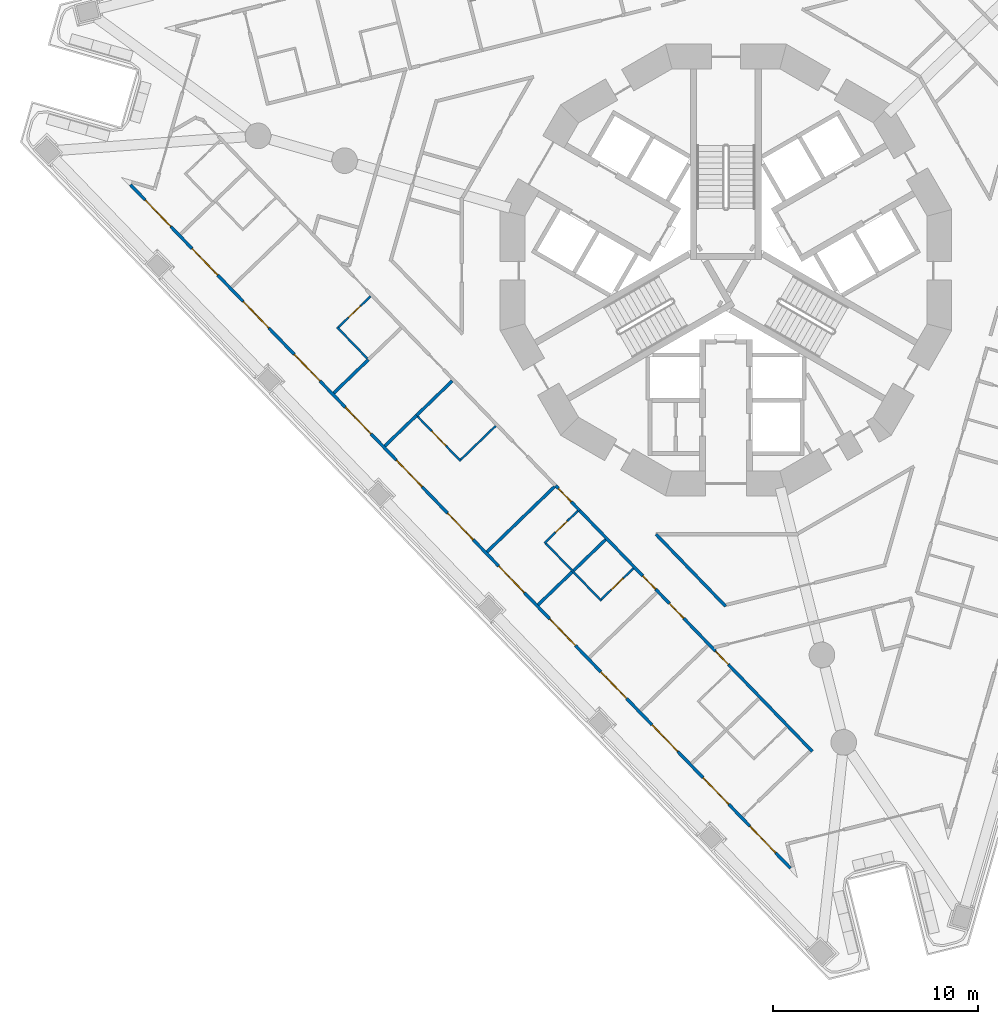
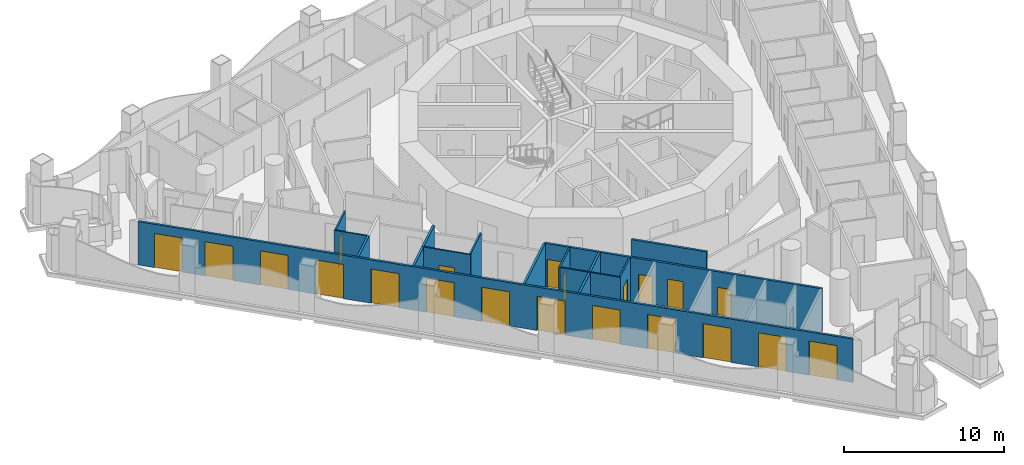
# One storey, part 2 of 20: 21 doors, 17 walls, 21 openings.
"""IFC4 building model written with IfcOpenShell, lengths in metres."""

from ifc_helpers import new_model, si_unit, direction, frame, frame_2d, origin, place, context, subcontext, project, spatial, polyline, rectangle, outline, extrude, material, layer, layer_set, type_object, element, fill, save


model = new_model("IFC4")

# Units and contexts
model_context = context("Model", 3, precision=1e-05, world=origin(), true_north=direction((0.0, 1.0)))
body_context = subcontext(model_context, "Body", "Model", "MODEL_VIEW")
ifc_project = project(units=[si_unit("LENGTHUNIT", "METRE"), si_unit("AREAUNIT", "SQUARE_METRE"), si_unit("VOLUMEUNIT", "CUBIC_METRE"), si_unit("PLANEANGLEUNIT", "RADIAN"), si_unit("MASSUNIT", "GRAM", prefix="KILO")], contexts=[model_context])

# Site, building, storey
site_placement = place(None, origin())
site = spatial("IfcSite", under=ifc_project, at=site_placement, CompositionType="ELEMENT")
building_placement = place(site_placement, origin())
building = spatial("IfcBuilding", under=site, at=building_placement, Name="Trine Commons Tower", CompositionType="ELEMENT")
storey_placement = place(building_placement, frame((0.0, 0.0, 101.699951171875)))
storey = spatial("IfcBuildingStorey", under=building, at=storey_placement, Name="L25", CompositionType="ELEMENT", Elevation=101.699951171875)

# Wall, openings, doors
ifc_material_1 = material(Name="Aluminium-framed insulated wall panel", Category="aluminium")
ifc_layer_1 = layer(ifc_material_1, 0.14990234375)
ifc_layer_set_1 = layer_set([ifc_layer_1], Name="Aluminium-framed insulated wall panel")
wall_type_1 = type_object("IfcWallType", Name="Glazed frame wall 150, EI 60", PredefinedType="SOLIDWALL", material=ifc_layer_set_1)
wall_1_placement = place(storey_placement, frame((83.25048828125, 33.21630859375, 0.0), z_axis=(0.0, 0.0, 1.0), x_axis=(-0.69466017463, 0.719338058067, 0.0)))
wall_1 = element("IfcWall", 1, at=wall_1_placement, inside=storey, type_object=wall_type_1, Name="Glazed frame wall F3", PredefinedType="SOLIDWALL", context=body_context, shape_type="SweptSolid", body=[
    extrude(outline(polyline([(0.1494140625, 0.074951171875), (0.1494140625, -0.074951171875), (46.496826171875, -0.074951171875), (46.496826171875, 0.074951171875), (0.1494140625, 0.074951171875)])), origin(), (0.0, 0.0, 1.0), 3.300048828125),
])
opening_1_placement = place(wall_1_placement, frame((1.194091796875, 0.0, 0.0)))
opening_1 = element("IfcOpeningElement", 2, at=opening_1_placement, cuts=wall_1, Name="Opening BD-3F3-01", PredefinedType="OPENING", context=body_context, shape_type="SweptSolid", body=[
    extrude(rectangle(XDim=1.800048828125, YDim=2.60009765625, at=frame_2d((0.89990234375, 1.300048828125))), frame((0.0, 0.0849609375, 0.0), z_axis=(0.0, -1.0, 0.0), x_axis=(1.0, 0.0, 0.0)), (0.0, 0.0, 1.0), 0.169921875),
])
opening_2_placement = place(wall_1_placement, frame((4.482421875, 0.0, 0.0)))
opening_2 = element("IfcOpeningElement", 3, at=opening_2_placement, cuts=wall_1, Name="Opening BD-3F3-02", PredefinedType="OPENING", context=body_context, shape_type="SweptSolid", body=[
    extrude(rectangle(XDim=1.800048828125, YDim=2.60009765625, at=frame_2d((0.89990234375, 1.300048828125))), frame((0.0, 0.0849609375, 0.0), z_axis=(0.0, -1.0, 0.0), x_axis=(1.0, 0.0, 0.0)), (0.0, 0.0, 1.0), 0.169921875),
])
opening_3_placement = place(wall_1_placement, frame((8.070556640625, 0.0, 0.0)))
opening_3 = element("IfcOpeningElement", 4, at=opening_3_placement, cuts=wall_1, Name="Opening BD-3F3-03", PredefinedType="OPENING", context=body_context, shape_type="SweptSolid", body=[
    extrude(rectangle(XDim=1.800048828125, YDim=2.60009765625, at=frame_2d((0.89990234375, 1.300048828125))), frame((0.0, 0.0849609375, 0.0), z_axis=(0.0, -1.0, 0.0), x_axis=(1.0, 0.0, 0.0)), (0.0, 0.0, 1.0), 0.169921875),
])
opening_4_placement = place(wall_1_placement, frame((11.65869140625, 0.0, 0.0)))
opening_4 = element("IfcOpeningElement", 5, at=opening_4_placement, cuts=wall_1, Name="Opening BD-3F3-04", PredefinedType="OPENING", context=body_context, shape_type="SweptSolid", body=[
    extrude(rectangle(XDim=1.800048828125, YDim=2.60009765625, at=frame_2d((0.89990234375, 1.300048828125))), frame((0.0, 0.0849609375, 0.0), z_axis=(0.0, -1.0, 0.0), x_axis=(1.0, 0.0, 0.0)), (0.0, 0.0, 1.0), 0.169921875),
])
opening_5_placement = place(wall_1_placement, frame((15.246826171875, 0.0, 0.0)))
opening_5 = element("IfcOpeningElement", 6, at=opening_5_placement, cuts=wall_1, Name="Opening BD-3F3-05", PredefinedType="OPENING", context=body_context, shape_type="SweptSolid", body=[
    extrude(rectangle(XDim=1.800048828125, YDim=2.60009765625, at=frame_2d((0.89990234375, 1.300048828125))), frame((0.0, 0.0849609375, 0.0), z_axis=(0.0, -1.0, 0.0), x_axis=(1.0, 0.0, 0.0)), (0.0, 0.0, 1.0), 0.169921875),
])
opening_6_placement = place(wall_1_placement, frame((18.835205078125, 0.0, 0.0)))
opening_6 = element("IfcOpeningElement", 7, at=opening_6_placement, cuts=wall_1, Name="Opening BD-3F3-06", PredefinedType="OPENING", context=body_context, shape_type="SweptSolid", body=[
    extrude(rectangle(XDim=1.800048828125, YDim=2.60009765625, at=frame_2d((0.89990234375, 1.300048828125))), frame((0.0, 0.0849609375, 0.0), z_axis=(0.0, -1.0, 0.0), x_axis=(1.0, 0.0, 0.0)), (0.0, 0.0, 1.0), 0.169921875),
])
opening_7_placement = place(wall_1_placement, frame((22.42333984375, 0.0, 0.0)))
opening_7 = element("IfcOpeningElement", 8, at=opening_7_placement, cuts=wall_1, Name="Opening BD-3F3-07", PredefinedType="OPENING", context=body_context, shape_type="SweptSolid", body=[
    extrude(rectangle(XDim=1.800048828125, YDim=2.60009765625, at=frame_2d((0.89990234375, 1.300048828125))), frame((0.0, 0.0849609375, 0.0), z_axis=(0.0, -1.0, 0.0), x_axis=(1.0, 0.0, 0.0)), (0.0, 0.0, 1.0), 0.169921875),
])
opening_8_placement = place(wall_1_placement, frame((26.011474609375, 0.0, 0.0)))
opening_8 = element("IfcOpeningElement", 9, at=opening_8_placement, cuts=wall_1, Name="Opening BD-3F3-08", PredefinedType="OPENING", context=body_context, shape_type="SweptSolid", body=[
    extrude(rectangle(XDim=1.800048828125, YDim=2.60009765625, at=frame_2d((0.89990234375, 1.300048828125))), frame((0.0, 0.0849609375, 0.0), z_axis=(0.0, -1.0, 0.0), x_axis=(1.0, 0.0, 0.0)), (0.0, 0.0, 1.0), 0.169921875),
])
opening_9_placement = place(wall_1_placement, frame((29.599609375, 0.0, 0.0)))
opening_9 = element("IfcOpeningElement", 10, at=opening_9_placement, cuts=wall_1, Name="Opening BD-3F3-09", PredefinedType="OPENING", context=body_context, shape_type="SweptSolid", body=[
    extrude(rectangle(XDim=1.800048828125, YDim=2.60009765625, at=frame_2d((0.89990234375, 1.300048828125))), frame((0.0, 0.0849609375, 0.0), z_axis=(0.0, -1.0, 0.0), x_axis=(1.0, 0.0, 0.0)), (0.0, 0.0, 1.0), 0.169921875),
])
opening_10_placement = place(wall_1_placement, frame((33.18798828125, 0.0, 0.0)))
opening_10 = element("IfcOpeningElement", 11, at=opening_10_placement, cuts=wall_1, Name="Opening BD-3F3-10", PredefinedType="OPENING", context=body_context, shape_type="SweptSolid", body=[
    extrude(rectangle(XDim=1.800048828125, YDim=2.60009765625, at=frame_2d((0.89990234375, 1.300048828125))), frame((0.0, 0.0849609375, 0.0), z_axis=(0.0, -1.0, 0.0), x_axis=(1.0, 0.0, 0.0)), (0.0, 0.0, 1.0), 0.169921875),
])
opening_11_placement = place(wall_1_placement, frame((36.776123046875, 0.0, 0.0)))
opening_11 = element("IfcOpeningElement", 12, at=opening_11_placement, cuts=wall_1, Name="Opening BD-3F3-11", PredefinedType="OPENING", context=body_context, shape_type="SweptSolid", body=[
    extrude(rectangle(XDim=1.800048828125, YDim=2.60009765625, at=frame_2d((0.89990234375, 1.300048828125))), frame((0.0, 0.0849609375, 0.0), z_axis=(0.0, -1.0, 0.0), x_axis=(1.0, 0.0, 0.0)), (0.0, 0.0, 1.0), 0.169921875),
])
opening_12_placement = place(wall_1_placement, frame((40.3642578125, 0.0, 0.0)))
opening_12 = element("IfcOpeningElement", 13, at=opening_12_placement, cuts=wall_1, Name="Opening BD-3F3-12", PredefinedType="OPENING", context=body_context, shape_type="SweptSolid", body=[
    extrude(rectangle(XDim=1.800048828125, YDim=2.60009765625, at=frame_2d((0.89990234375, 1.300048828125))), frame((0.0, 0.0849609375, 0.0), z_axis=(0.0, -1.0, 0.0), x_axis=(1.0, 0.0, 0.0)), (0.0, 0.0, 1.0), 0.169921875),
])
opening_13_placement = place(wall_1_placement, frame((43.652587890625, 0.0, 0.0)))
opening_13 = element("IfcOpeningElement", 14, at=opening_13_placement, cuts=wall_1, Name="Opening BD-3F3-13", PredefinedType="OPENING", context=body_context, shape_type="SweptSolid", body=[
    extrude(rectangle(XDim=1.800048828125, YDim=2.60009765625, at=frame_2d((0.89990234375, 1.300048828125))), frame((0.0, 0.0849609375, 0.0), z_axis=(0.0, -1.0, 0.0), x_axis=(1.0, 0.0, 0.0)), (0.0, 0.0, 1.0), 0.169921875),
])
ifc_material_2 = material(Name="Anodised aluminium frame with double glazing", Category="aluminium")
door_type_1 = type_object("IfcDoorType", Name="Sliding loggia door 1800x2600", OperationType="SLIDING_TO_LEFT", PredefinedType="DOOR", material=ifc_material_2)
door_1_placement = place(opening_1_placement, origin())
door_1 = element("IfcDoor", 15, at=door_1_placement, inside=storey, type_object=door_type_1, Name="Loggia door F3 1", OperationType="SLIDING_TO_LEFT", OverallHeight=2.60009765625, OverallWidth=1.800048828125, PredefinedType="DOOR", context=body_context, shape_type="SweptSolid", body=[
    extrude(rectangle(XDim=1.800048828125, YDim=2.60009765625, at=frame_2d((0.89990234375, 1.300048828125))), frame((0.0, 0.02490234375, 0.0), z_axis=(0.0, -1.0, 0.0), x_axis=(1.0, 0.0, 0.0)), (0.0, 0.0, 1.0), 0.050048828125),
])
fill(opening_1, door_1)
door_2_placement = place(opening_2_placement, origin())
door_2 = element("IfcDoor", 16, at=door_2_placement, inside=storey, type_object=door_type_1, Name="Loggia door F3 2", OperationType="SLIDING_TO_LEFT", OverallHeight=2.60009765625, OverallWidth=1.800048828125, PredefinedType="DOOR", context=body_context, shape_type="SweptSolid", body=[
    extrude(rectangle(XDim=1.800048828125, YDim=2.60009765625, at=frame_2d((0.89990234375, 1.300048828125))), frame((0.0, 0.02490234375, 0.0), z_axis=(0.0, -1.0, 0.0), x_axis=(1.0, 0.0, 0.0)), (0.0, 0.0, 1.0), 0.050048828125),
])
fill(opening_2, door_2)
door_3_placement = place(opening_3_placement, origin())
door_3 = element("IfcDoor", 17, at=door_3_placement, inside=storey, type_object=door_type_1, Name="Loggia door F3 3", OperationType="SLIDING_TO_LEFT", OverallHeight=2.60009765625, OverallWidth=1.800048828125, PredefinedType="DOOR", context=body_context, shape_type="SweptSolid", body=[
    extrude(rectangle(XDim=1.800048828125, YDim=2.60009765625, at=frame_2d((0.89990234375, 1.300048828125))), frame((0.0, 0.02490234375, 0.0), z_axis=(0.0, -1.0, 0.0), x_axis=(1.0, 0.0, 0.0)), (0.0, 0.0, 1.0), 0.050048828125),
])
fill(opening_3, door_3)
door_4_placement = place(opening_4_placement, origin())
door_4 = element("IfcDoor", 18, at=door_4_placement, inside=storey, type_object=door_type_1, Name="Loggia door F3 4", OperationType="SLIDING_TO_LEFT", OverallHeight=2.60009765625, OverallWidth=1.800048828125, PredefinedType="DOOR", context=body_context, shape_type="SweptSolid", body=[
    extrude(rectangle(XDim=1.800048828125, YDim=2.60009765625, at=frame_2d((0.89990234375, 1.300048828125))), frame((0.0, 0.02490234375, 0.0), z_axis=(0.0, -1.0, 0.0), x_axis=(1.0, 0.0, 0.0)), (0.0, 0.0, 1.0), 0.050048828125),
])
fill(opening_4, door_4)
door_5_placement = place(opening_5_placement, origin())
door_5 = element("IfcDoor", 19, at=door_5_placement, inside=storey, type_object=door_type_1, Name="Loggia door F3 5", OperationType="SLIDING_TO_LEFT", OverallHeight=2.60009765625, OverallWidth=1.800048828125, PredefinedType="DOOR", context=body_context, shape_type="SweptSolid", body=[
    extrude(rectangle(XDim=1.800048828125, YDim=2.60009765625, at=frame_2d((0.89990234375, 1.300048828125))), frame((0.0, 0.02490234375, 0.0), z_axis=(0.0, -1.0, 0.0), x_axis=(1.0, 0.0, 0.0)), (0.0, 0.0, 1.0), 0.050048828125),
])
fill(opening_5, door_5)
door_6_placement = place(opening_6_placement, origin())
door_6 = element("IfcDoor", 20, at=door_6_placement, inside=storey, type_object=door_type_1, Name="Loggia door F3 6", OperationType="SLIDING_TO_LEFT", OverallHeight=2.60009765625, OverallWidth=1.800048828125, PredefinedType="DOOR", context=body_context, shape_type="SweptSolid", body=[
    extrude(rectangle(XDim=1.800048828125, YDim=2.60009765625, at=frame_2d((0.89990234375, 1.300048828125))), frame((0.0, 0.02490234375, 0.0), z_axis=(0.0, -1.0, 0.0), x_axis=(1.0, 0.0, 0.0)), (0.0, 0.0, 1.0), 0.050048828125),
])
fill(opening_6, door_6)
door_7_placement = place(opening_7_placement, origin())
door_7 = element("IfcDoor", 21, at=door_7_placement, inside=storey, type_object=door_type_1, Name="Loggia door F3 7", OperationType="SLIDING_TO_LEFT", OverallHeight=2.60009765625, OverallWidth=1.800048828125, PredefinedType="DOOR", context=body_context, shape_type="SweptSolid", body=[
    extrude(rectangle(XDim=1.800048828125, YDim=2.60009765625, at=frame_2d((0.89990234375, 1.300048828125))), frame((0.0, 0.02490234375, 0.0), z_axis=(0.0, -1.0, 0.0), x_axis=(1.0, 0.0, 0.0)), (0.0, 0.0, 1.0), 0.050048828125),
])
fill(opening_7, door_7)
door_8_placement = place(opening_8_placement, origin())
door_8 = element("IfcDoor", 22, at=door_8_placement, inside=storey, type_object=door_type_1, Name="Loggia door F3 8", OperationType="SLIDING_TO_LEFT", OverallHeight=2.60009765625, OverallWidth=1.800048828125, PredefinedType="DOOR", context=body_context, shape_type="SweptSolid", body=[
    extrude(rectangle(XDim=1.800048828125, YDim=2.60009765625, at=frame_2d((0.89990234375, 1.300048828125))), frame((0.0, 0.02490234375, 0.0), z_axis=(0.0, -1.0, 0.0), x_axis=(1.0, 0.0, 0.0)), (0.0, 0.0, 1.0), 0.050048828125),
])
fill(opening_8, door_8)
door_9_placement = place(opening_9_placement, origin())
door_9 = element("IfcDoor", 23, at=door_9_placement, inside=storey, type_object=door_type_1, Name="Loggia door F3 9", OperationType="SLIDING_TO_LEFT", OverallHeight=2.60009765625, OverallWidth=1.800048828125, PredefinedType="DOOR", context=body_context, shape_type="SweptSolid", body=[
    extrude(rectangle(XDim=1.800048828125, YDim=2.60009765625, at=frame_2d((0.89990234375, 1.300048828125))), frame((0.0, 0.02490234375, 0.0), z_axis=(0.0, -1.0, 0.0), x_axis=(1.0, 0.0, 0.0)), (0.0, 0.0, 1.0), 0.050048828125),
])
fill(opening_9, door_9)
door_10_placement = place(opening_10_placement, origin())
door_10 = element("IfcDoor", 24, at=door_10_placement, inside=storey, type_object=door_type_1, Name="Loggia door F3 10", OperationType="SLIDING_TO_LEFT", OverallHeight=2.60009765625, OverallWidth=1.800048828125, PredefinedType="DOOR", context=body_context, shape_type="SweptSolid", body=[
    extrude(rectangle(XDim=1.800048828125, YDim=2.60009765625, at=frame_2d((0.89990234375, 1.300048828125))), frame((0.0, 0.02490234375, 0.0), z_axis=(0.0, -1.0, 0.0), x_axis=(1.0, 0.0, 0.0)), (0.0, 0.0, 1.0), 0.050048828125),
])
fill(opening_10, door_10)
door_11_placement = place(opening_11_placement, origin())
door_11 = element("IfcDoor", 25, at=door_11_placement, inside=storey, type_object=door_type_1, Name="Loggia door F3 11", OperationType="SLIDING_TO_LEFT", OverallHeight=2.60009765625, OverallWidth=1.800048828125, PredefinedType="DOOR", context=body_context, shape_type="SweptSolid", body=[
    extrude(rectangle(XDim=1.800048828125, YDim=2.60009765625, at=frame_2d((0.89990234375, 1.300048828125))), frame((0.0, 0.02490234375, 0.0), z_axis=(0.0, -1.0, 0.0), x_axis=(1.0, 0.0, 0.0)), (0.0, 0.0, 1.0), 0.050048828125),
])
fill(opening_11, door_11)
door_12_placement = place(opening_12_placement, origin())
door_12 = element("IfcDoor", 26, at=door_12_placement, inside=storey, type_object=door_type_1, Name="Loggia door F3 12", OperationType="SLIDING_TO_LEFT", OverallHeight=2.60009765625, OverallWidth=1.800048828125, PredefinedType="DOOR", context=body_context, shape_type="SweptSolid", body=[
    extrude(rectangle(XDim=1.800048828125, YDim=2.60009765625, at=frame_2d((0.89990234375, 1.300048828125))), frame((0.0, 0.02490234375, 0.0), z_axis=(0.0, -1.0, 0.0), x_axis=(1.0, 0.0, 0.0)), (0.0, 0.0, 1.0), 0.050048828125),
])
fill(opening_12, door_12)
door_13_placement = place(opening_13_placement, origin())
door_13 = element("IfcDoor", 27, at=door_13_placement, inside=storey, type_object=door_type_1, Name="Loggia door F3 13", OperationType="SLIDING_TO_LEFT", OverallHeight=2.60009765625, OverallWidth=1.800048828125, PredefinedType="DOOR", context=body_context, shape_type="SweptSolid", body=[
    extrude(rectangle(XDim=1.800048828125, YDim=2.60009765625, at=frame_2d((0.89990234375, 1.300048828125))), frame((0.0, 0.02490234375, 0.0), z_axis=(0.0, -1.0, 0.0), x_axis=(1.0, 0.0, 0.0)), (0.0, 0.0, 1.0), 0.050048828125),
])
fill(opening_13, door_13)

# Walls
ifc_material_3 = material(Name="Gypsum plasterboard on steel stud", Category="steel")
ifc_layer_2 = layer(ifc_material_3, 0.14990234375)
ifc_layer_set_2 = layer_set([ifc_layer_2], Name="Gypsum plasterboard on steel stud")
wall_type_2 = type_object("IfcWallType", Name="Unit and corridor wall 150 mm, EI 60", PredefinedType="PARTITIONING", material=ifc_layer_set_2)
wall_2_placement = place(storey_placement, frame((60.871826171875, 56.498779296875, 0.0), z_axis=(0.0, 0.0, 1.0), x_axis=(0.719512417317, 0.694479575889, 0.0)))
element("IfcWall", 28, at=wall_2_placement, inside=storey, type_object=wall_type_2, Name="Partition 019", PredefinedType="PARTITIONING", context=body_context, shape_type="SweptSolid", body=[
    extrude(rectangle(XDim=2.350341796875, YDim=0.14990234375, at=frame_2d((1.17529296875, 0.0))), origin(), (0.0, 0.0, 1.0), 3.300048828125),
])
wall_3_placement = place(storey_placement, frame((63.36376953125, 53.917724609375, 0.0), z_axis=(0.0, 0.0, 1.0), x_axis=(0.71955816268, 0.694432178488, 0.0)))
element("IfcWall", 29, at=wall_3_placement, inside=storey, type_object=wall_type_2, Name="Partition 028", PredefinedType="PARTITIONING", context=body_context, shape_type="SweptSolid", body=[
    extrude(rectangle(XDim=2.1474609375, YDim=0.14990234375, at=frame_2d((1.07373046875, 0.0))), origin(), (0.0, 0.0, 1.0), 3.300048828125),
])
wall_4_placement = place(storey_placement, frame((64.908935546875, 55.408935546875, 0.0), z_axis=(0.0, 0.0, 1.0), x_axis=(0.719182863788, 0.694820846286, 0.0)))
element("IfcWall", 30, at=wall_4_placement, inside=storey, type_object=wall_type_2, Name="Partition 035", PredefinedType="PARTITIONING", context=body_context, shape_type="SweptSolid", body=[
    extrude(rectangle(XDim=2.425048828125, YDim=0.14990234375, at=frame_2d((1.21240234375, 0.0))), origin(), (0.0, 0.0, 1.0), 3.300048828125),
])
wall_5_placement = place(storey_placement, frame((68.348876953125, 48.7548828125, 0.0), z_axis=(0.0, 0.0, 1.0), x_axis=(0.719356389488, 0.694641191482, 0.0)))
element("IfcWall", 31, at=wall_5_placement, inside=storey, type_object=wall_type_2, Name="Partition 046", PredefinedType="PARTITIONING", context=body_context, shape_type="SweptSolid", body=[
    extrude(rectangle(XDim=4.573486328125, YDim=0.14990234375, at=frame_2d((2.28662109375, 0.0))), origin(), (0.0, 0.0, 1.0), 3.300048828125),
])
wall_6_placement = place(storey_placement, frame((70.841796875, 46.173828125, 0.0), z_axis=(0.0, 0.0, 1.0), x_axis=(0.71937400428, 0.694622949496, 0.0)))
element("IfcWall", 32, at=wall_6_placement, inside=storey, type_object=wall_type_2, Name="Partition 048", PredefinedType="PARTITIONING", context=body_context, shape_type="SweptSolid", body=[
    extrude(rectangle(XDim=2.29833984375, YDim=0.14990234375, at=frame_2d((1.149169921875, 0.0))), origin(), (0.0, 0.0, 1.0), 3.300048828125),
])

# Wall, opening, door
wall_7_placement = place(storey_placement, frame((71.68896484375, 51.986083984375, 0.0), z_axis=(0.0, 0.0, 1.0), x_axis=(0.695212932068, -0.718803852999, 0.0)))
wall_7 = element("IfcWall", 33, at=wall_7_placement, inside=storey, type_object=wall_type_2, Name="Partition 051", PredefinedType="PARTITIONING", context=body_context, shape_type="SweptSolid", body=[
    extrude(rectangle(XDim=1.697265625, YDim=0.14990234375, at=frame_2d((0.8486328125, 0.0))), origin(), (0.0, 0.0, 1.0), 3.300048828125),
])
opening_14_placement = place(wall_7_placement, frame((0.197998046875, 0.0, 0.0)))
opening_14 = element("IfcOpeningElement", 34, at=opening_14_placement, cuts=wall_7, Name="Opening D-3B30", PredefinedType="OPENING", context=body_context, shape_type="SweptSolid", body=[
    extrude(rectangle(XDim=0.89990234375, YDim=2.10009765625, at=frame_2d((0.449951171875, 1.050048828125))), frame((0.0, 0.0849609375, 0.0), z_axis=(0.0, -1.0, 0.0), x_axis=(1.0, 0.0, 0.0)), (0.0, 0.0, 1.0), 0.169921875),
])
ifc_material_4 = material(Name="Timber fire door set", Category="wood")
door_type_2 = type_object("IfcDoorType", Name="Bedroom door 900 x 2100, FD30S", OperationType="NOTDEFINED", PredefinedType="DOOR", material=ifc_material_4)
door_14_placement = place(opening_14_placement, frame((0.89990234375, 0.0, 0.0), z_axis=(0.0, 0.0, 1.0), x_axis=(-1.0, 0.0, 0.0)))
door_14 = element("IfcDoor", 35, at=door_14_placement, inside=storey, type_object=door_type_2, Name="Door D-3B30", OperationType="SINGLE_SWING_RIGHT", OverallHeight=2.10009765625, OverallWidth=0.89990234375, PredefinedType="DOOR", context=body_context, shape_type="SweptSolid", body=[
    extrude(rectangle(XDim=0.89990234375, YDim=2.10009765625, at=frame_2d((0.449951171875, 1.050048828125))), frame((0.0, 0.02490234375, 0.0), z_axis=(0.0, -1.0, 0.0), x_axis=(1.0, 0.0, 0.0)), (0.0, 0.0, 1.0), 0.050048828125),
])
fill(opening_14, door_14)

# Wall
wall_8_placement = place(storey_placement, frame((72.56689453125, 47.839599609375, 0.0), z_axis=(0.0, 0.0, 1.0), x_axis=(0.71918093231, 0.694822845481, 0.0)))
element("IfcWall", 36, at=wall_8_placement, inside=storey, type_object=wall_type_2, Name="Partition 052", PredefinedType="PARTITIONING", context=body_context, shape_type="SweptSolid", body=[
    extrude(rectangle(XDim=2.175048828125, YDim=0.14990234375, at=frame_2d((1.08740234375, 0.0))), origin(), (0.0, 0.0, 1.0), 3.300048828125),
])

# Wall, openings, doors
wall_9_placement = place(storey_placement, frame((72.827880859375, 50.80810546875, 0.0), z_axis=(0.0, 0.0, 1.0), x_axis=(0.694636269786, -0.719361142055, 0.0)))
wall_9 = element("IfcWall", 37, at=wall_9_placement, inside=storey, type_object=wall_type_2, Name="Partition 053", PredefinedType="PARTITIONING", context=body_context, shape_type="SweptSolid", body=[
    extrude(rectangle(XDim=16.38134765625, YDim=0.14990234375, at=frame_2d((8.190673828125, 0.0))), origin(), (0.0, 0.0, 1.0), 3.300048828125),
])
opening_15_placement = place(wall_9_placement, frame((9.59619140625, 0.0, 0.0)))
opening_15 = element("IfcOpeningElement", 38, at=opening_15_placement, cuts=wall_9, Name="Opening D-3B27", PredefinedType="OPENING", context=body_context, shape_type="SweptSolid", body=[
    extrude(rectangle(XDim=0.89990234375, YDim=2.10009765625, at=frame_2d((0.449951171875, 1.050048828125))), frame((0.0, 0.0849609375, 0.0), z_axis=(0.0, -1.0, 0.0), x_axis=(1.0, 0.0, 0.0)), (0.0, 0.0, 1.0), 0.169921875),
])
opening_16_placement = place(wall_9_placement, frame((6.3583984375, 0.0, 0.0)))
opening_16 = element("IfcOpeningElement", 39, at=opening_16_placement, cuts=wall_9, Name="Opening D-3B28", PredefinedType="OPENING", context=body_context, shape_type="SweptSolid", body=[
    extrude(rectangle(XDim=1.0, YDim=2.10009765625, at=frame_2d((0.5, 1.050048828125))), frame((0.0, 0.0849609375, 0.0), z_axis=(0.0, -1.0, 0.0), x_axis=(1.0, 0.0, 0.0)), (0.0, 0.0, 1.0), 0.169921875),
])
opening_17_placement = place(wall_9_placement, frame((4.49169921875, 0.0, 0.0)))
opening_17 = element("IfcOpeningElement", 40, at=opening_17_placement, cuts=wall_9, Name="Opening D-3B29", PredefinedType="OPENING", context=body_context, shape_type="SweptSolid", body=[
    extrude(rectangle(XDim=0.89990234375, YDim=2.10009765625, at=frame_2d((0.449951171875, 1.050048828125))), frame((0.0, 0.0849609375, 0.0), z_axis=(0.0, -1.0, 0.0), x_axis=(1.0, 0.0, 0.0)), (0.0, 0.0, 1.0), 0.169921875),
])
ifc_material_5 = material(Name="Painted timber", Category="wood")
door_type_3 = type_object("IfcDoorType", Name="Amenity room door 1000 x 2100, NOT RATED", OperationType="NOTDEFINED", PredefinedType="DOOR", material=ifc_material_5)
door_15_placement = place(opening_16_placement, frame((1.0, 0.0, 0.0), z_axis=(0.0, 0.0, 1.0), x_axis=(-1.0, 0.0, 0.0)))
door_15 = element("IfcDoor", 41, at=door_15_placement, inside=storey, type_object=door_type_3, Name="Door D-3B28", OperationType="SINGLE_SWING_RIGHT", OverallHeight=2.10009765625, OverallWidth=1.0, PredefinedType="DOOR", context=body_context, shape_type="SweptSolid", body=[
    extrude(rectangle(XDim=1.0, YDim=2.10009765625, at=frame_2d((0.5, 1.050048828125))), frame((0.0, 0.02490234375, 0.0), z_axis=(0.0, -1.0, 0.0), x_axis=(1.0, 0.0, 0.0)), (0.0, 0.0, 1.0), 0.050048828125),
])
fill(opening_16, door_15)
door_16_placement = place(opening_15_placement, frame((0.89990234375, 0.0, 0.0), z_axis=(0.0, 0.0, 1.0), x_axis=(-1.0, 0.0, 0.0)))
door_16 = element("IfcDoor", 42, at=door_16_placement, inside=storey, type_object=door_type_2, Name="Door D-3B27", OperationType="SINGLE_SWING_LEFT", OverallHeight=2.10009765625, OverallWidth=0.89990234375, PredefinedType="DOOR", context=body_context, shape_type="SweptSolid", body=[
    extrude(rectangle(XDim=0.89990234375, YDim=2.10009765625, at=frame_2d((0.449951171875, 1.050048828125))), frame((0.0, 0.02490234375, 0.0), z_axis=(0.0, -1.0, 0.0), x_axis=(1.0, 0.0, 0.0)), (0.0, 0.0, 1.0), 0.050048828125),
])
fill(opening_15, door_16)
door_17_placement = place(opening_17_placement, frame((0.89990234375, 0.0, 0.0), z_axis=(0.0, 0.0, 1.0), x_axis=(-1.0, 0.0, 0.0)))
door_17 = element("IfcDoor", 43, at=door_17_placement, inside=storey, type_object=door_type_2, Name="Door D-3B29", OperationType="SINGLE_SWING_RIGHT", OverallHeight=2.10009765625, OverallWidth=0.89990234375, PredefinedType="DOOR", context=body_context, shape_type="SweptSolid", body=[
    extrude(rectangle(XDim=0.89990234375, YDim=2.10009765625, at=frame_2d((0.449951171875, 1.050048828125))), frame((0.0, 0.02490234375, 0.0), z_axis=(0.0, -1.0, 0.0), x_axis=(1.0, 0.0, 0.0)), (0.0, 0.0, 1.0), 0.050048828125),
])
fill(opening_17, door_17)

# Walls
wall_10_placement = place(storey_placement, frame((76.587890625, 49.613037109375, 0.0), z_axis=(0.0, 0.0, 1.0), x_axis=(0.694768247914, -0.719233676694, 0.0)))
element("IfcWall", 44, at=wall_10_placement, inside=storey, type_object=wall_type_2, Name="Partition 061", PredefinedType="PARTITIONING", context=body_context, shape_type="SweptSolid", body=[
    extrude(rectangle(XDim=4.8896484375, YDim=0.14990234375, at=frame_2d((2.44482421875, 0.0))), origin(), (0.0, 0.0, 1.0), 3.300048828125),
])
ifc_layer_3 = layer(ifc_material_3, 0.10009765625)
ifc_layer_set_3 = layer_set([ifc_layer_3], Name="Gypsum plasterboard on steel stud")
wall_type_3 = type_object("IfcWallType", Name="Unit partition 100 mm, no rating", PredefinedType="PARTITIONING", material=ifc_layer_set_3)
wall_11_placement = place(storey_placement, frame((61.0322265625, 59.7119140625, 0.0), z_axis=(0.0, 0.0, 1.0), x_axis=(0.694471469345, -0.719520241734, 0.0)))
element("IfcWall", 45, at=wall_11_placement, inside=storey, type_object=wall_type_3, Name="Partition 020", PredefinedType="PARTITIONING", context=body_context, shape_type="SweptSolid", body=[
    extrude(rectangle(XDim=2.124755859375, YDim=0.10009765625, at=frame_2d((1.0625, 0.0))), origin(), (0.0, 0.0, 1.0), 3.300048828125),
])

# Wall, opening, door
wall_12_placement = place(storey_placement, frame((61.10302734375, 59.710693359375, 0.0), z_axis=(0.0, 0.0, 1.0), x_axis=(0.719126734191, 0.69487893922, 0.0)))
wall_12 = element("IfcWall", 46, at=wall_12_placement, inside=storey, type_object=wall_type_3, Name="Partition 021", PredefinedType="PARTITIONING", context=body_context, shape_type="SweptSolid", body=[
    extrude(rectangle(XDim=2.1748046875, YDim=0.10009765625, at=frame_2d((1.08740234375, 0.0))), origin(), (0.0, 0.0, 1.0), 3.300048828125),
])
opening_18_placement = place(wall_12_placement, frame((0.6875, 0.0, 0.0)))
opening_18 = element("IfcOpeningElement", 47, at=opening_18_placement, cuts=wall_12, Name="Opening D-3B63", PredefinedType="OPENING", context=body_context, shape_type="SweptSolid", body=[
    extrude(rectangle(XDim=0.800048828125, YDim=2.10009765625, at=frame_2d((0.39990234375, 1.050048828125))), frame((0.0, 0.06005859375, 0.0), z_axis=(0.0, -1.0, 0.0), x_axis=(1.0, 0.0, 0.0)), (0.0, 0.0, 1.0), 0.1201171875),
])
door_type_4 = type_object("IfcDoorType", Name="Internal door 800 x 2100, NOT RATED", OperationType="NOTDEFINED", PredefinedType="DOOR", material=ifc_material_5)
door_18_placement = place(opening_18_placement, origin())
door_18 = element("IfcDoor", 48, at=door_18_placement, inside=storey, type_object=door_type_4, Name="Door D-3B63", OperationType="SINGLE_SWING_LEFT", OverallHeight=2.10009765625, OverallWidth=0.800048828125, PredefinedType="DOOR", context=body_context, shape_type="SweptSolid", body=[
    extrude(rectangle(XDim=0.800048828125, YDim=2.10009765625, at=frame_2d((0.39990234375, 1.050048828125))), frame((0.0, 0.02490234375, 0.0), z_axis=(0.0, -1.0, 0.0), x_axis=(1.0, 0.0, 0.0)), (0.0, 0.0, 1.0), 0.050048828125),
])
fill(opening_18, door_18)

wall_13_placement = place(storey_placement, frame((64.961181640625, 55.35498046875, 0.0), z_axis=(0.0, 0.0, 1.0), x_axis=(0.694692443601, -0.719306894728, 0.0)))
wall_13 = element("IfcWall", 49, at=wall_13_placement, inside=storey, type_object=wall_type_3, Name="Partition 036", PredefinedType="PARTITIONING", context=body_context, shape_type="SweptSolid", body=[
    extrude(rectangle(XDim=3.025146484375, YDim=0.10009765625, at=frame_2d((1.5126953125, 0.0))), origin(), (0.0, 0.0, 1.0), 3.300048828125),
])
opening_19_placement = place(wall_13_placement, frame((0.98779296875, 0.0, 0.0)))
opening_19 = element("IfcOpeningElement", 50, at=opening_19_placement, cuts=wall_13, Name="Opening D-3B62", PredefinedType="OPENING", context=body_context, shape_type="SweptSolid", body=[
    extrude(rectangle(XDim=1.0, YDim=2.10009765625, at=frame_2d((0.5, 1.050048828125))), frame((0.0, 0.06005859375, 0.0), z_axis=(0.0, -1.0, 0.0), x_axis=(1.0, 0.0, 0.0)), (0.0, 0.0, 1.0), 0.1201171875),
])
door_type_5 = type_object("IfcDoorType", Name="Internal door 1000 x 2100, NOT RATED", OperationType="NOTDEFINED", PredefinedType="DOOR", material=ifc_material_5)
door_19_placement = place(opening_19_placement, frame((1.0, 0.0, 0.0), z_axis=(0.0, 0.0, 1.0), x_axis=(-1.0, 0.0, 0.0)))
door_19 = element("IfcDoor", 51, at=door_19_placement, inside=storey, type_object=door_type_5, Name="Door D-3B62", OperationType="SINGLE_SWING_RIGHT", OverallHeight=2.10009765625, OverallWidth=1.0, PredefinedType="DOOR", context=body_context, shape_type="SweptSolid", body=[
    extrude(rectangle(XDim=1.0, YDim=2.10009765625, at=frame_2d((0.5, 1.050048828125))), frame((0.0, 0.02490234375, 0.0), z_axis=(0.0, -1.0, 0.0), x_axis=(1.0, 0.0, 0.0)), (0.0, 0.0, 1.0), 0.050048828125),
])
fill(opening_19, door_19)

# Wall
wall_14_placement = place(storey_placement, frame((67.06396484375, 53.249755859375, 0.0), z_axis=(0.0, 0.0, 1.0), x_axis=(0.719233177485, 0.694768764702, 0.0)))
element("IfcWall", 52, at=wall_14_placement, inside=storey, type_object=wall_type_3, Name="Partition 040", PredefinedType="PARTITIONING", context=body_context, shape_type="SweptSolid", body=[
    extrude(rectangle(XDim=2.375, YDim=0.10009765625, at=frame_2d((1.1875, 0.0))), origin(), (0.0, 0.0, 1.0), 3.300048828125),
])

# Wall, opening, door
wall_15_placement = place(storey_placement, frame((71.139892578125, 49.17333984375, 0.0), z_axis=(0.0, 0.0, 1.0), x_axis=(0.71965659141, 0.694330173937, 0.0)))
wall_15 = element("IfcWall", 53, at=wall_15_placement, inside=storey, type_object=wall_type_3, Name="Partition 049", PredefinedType="PARTITIONING", context=body_context, shape_type="SweptSolid", body=[
    extrude(rectangle(XDim=2.27490234375, YDim=0.10009765625, at=frame_2d((1.137451171875, 0.0))), origin(), (0.0, 0.0, 1.0), 3.300048828125),
])
opening_20_placement = place(wall_15_placement, frame((0.762451171875, 0.0, 0.0)))
opening_20 = element("IfcOpeningElement", 54, at=opening_20_placement, cuts=wall_15, Name="Opening D-3B61", PredefinedType="OPENING", context=body_context, shape_type="SweptSolid", body=[
    extrude(rectangle(XDim=0.800048828125, YDim=2.10009765625, at=frame_2d((0.39990234375, 1.050048828125))), frame((0.0, 0.06005859375, 0.0), z_axis=(0.0, -1.0, 0.0), x_axis=(1.0, 0.0, 0.0)), (0.0, 0.0, 1.0), 0.1201171875),
])
door_20_placement = place(opening_20_placement, origin())
door_20 = element("IfcDoor", 55, at=door_20_placement, inside=storey, type_object=door_type_4, Name="Door D-3B61", OperationType="SINGLE_SWING_RIGHT", OverallHeight=2.10009765625, OverallWidth=0.800048828125, PredefinedType="DOOR", context=body_context, shape_type="SweptSolid", body=[
    extrude(rectangle(XDim=0.800048828125, YDim=2.10009765625, at=frame_2d((0.39990234375, 1.050048828125))), frame((0.0, 0.02490234375, 0.0), z_axis=(0.0, -1.0, 0.0), x_axis=(1.0, 0.0, 0.0)), (0.0, 0.0, 1.0), 0.050048828125),
])
fill(opening_20, door_20)

# Wall
wall_16_placement = place(storey_placement, frame((71.210693359375, 49.172119140625, 0.0), z_axis=(0.0, 0.0, 1.0), x_axis=(0.694540892951, -0.719453228513, 0.0)))
element("IfcWall", 56, at=wall_16_placement, inside=storey, type_object=wall_type_3, Name="Partition 050", PredefinedType="PARTITIONING", context=body_context, shape_type="SweptSolid", body=[
    extrude(rectangle(XDim=3.900390625, YDim=0.10009765625, at=frame_2d((1.9501953125, 0.0))), origin(), (0.0, 0.0, 1.0), 3.300048828125),
])

# Wall, opening, door
wall_17_placement = place(storey_placement, frame((73.9208984375, 46.436767578125, 0.0), z_axis=(0.0, 0.0, 1.0), x_axis=(0.719397593573, 0.69459851883, 0.0)))
wall_17 = element("IfcWall", 57, at=wall_17_placement, inside=storey, type_object=wall_type_3, Name="Partition 055", PredefinedType="PARTITIONING", context=body_context, shape_type="SweptSolid", body=[
    extrude(rectangle(XDim=2.17578125, YDim=0.10009765625, at=frame_2d((1.087890625, 0.0))), origin(), (0.0, 0.0, 1.0), 3.300048828125),
])
opening_21_placement = place(wall_17_placement, frame((0.687744140625, 0.0, 0.0)))
opening_21 = element("IfcOpeningElement", 58, at=opening_21_placement, cuts=wall_17, Name="Opening D-3B60", PredefinedType="OPENING", context=body_context, shape_type="SweptSolid", body=[
    extrude(rectangle(XDim=0.800048828125, YDim=2.10009765625, at=frame_2d((0.39990234375, 1.050048828125))), frame((0.0, 0.06005859375, 0.0), z_axis=(0.0, -1.0, 0.0), x_axis=(1.0, 0.0, 0.0)), (0.0, 0.0, 1.0), 0.1201171875),
])
door_21_placement = place(opening_21_placement, frame((0.800048828125, 0.0, 0.0), z_axis=(0.0, 0.0, 1.0), x_axis=(-1.0, 0.0, 0.0)))
door_21 = element("IfcDoor", 59, at=door_21_placement, inside=storey, type_object=door_type_4, Name="Door D-3B60", OperationType="SINGLE_SWING_RIGHT", OverallHeight=2.10009765625, OverallWidth=0.800048828125, PredefinedType="DOOR", context=body_context, shape_type="SweptSolid", body=[
    extrude(rectangle(XDim=0.800048828125, YDim=2.10009765625, at=frame_2d((0.39990234375, 1.050048828125))), frame((0.0, 0.02490234375, 0.0), z_axis=(0.0, -1.0, 0.0), x_axis=(1.0, 0.0, 0.0)), (0.0, 0.0, 1.0), 0.050048828125),
])
fill(opening_21, door_21)

save(model, "model.ifc")
